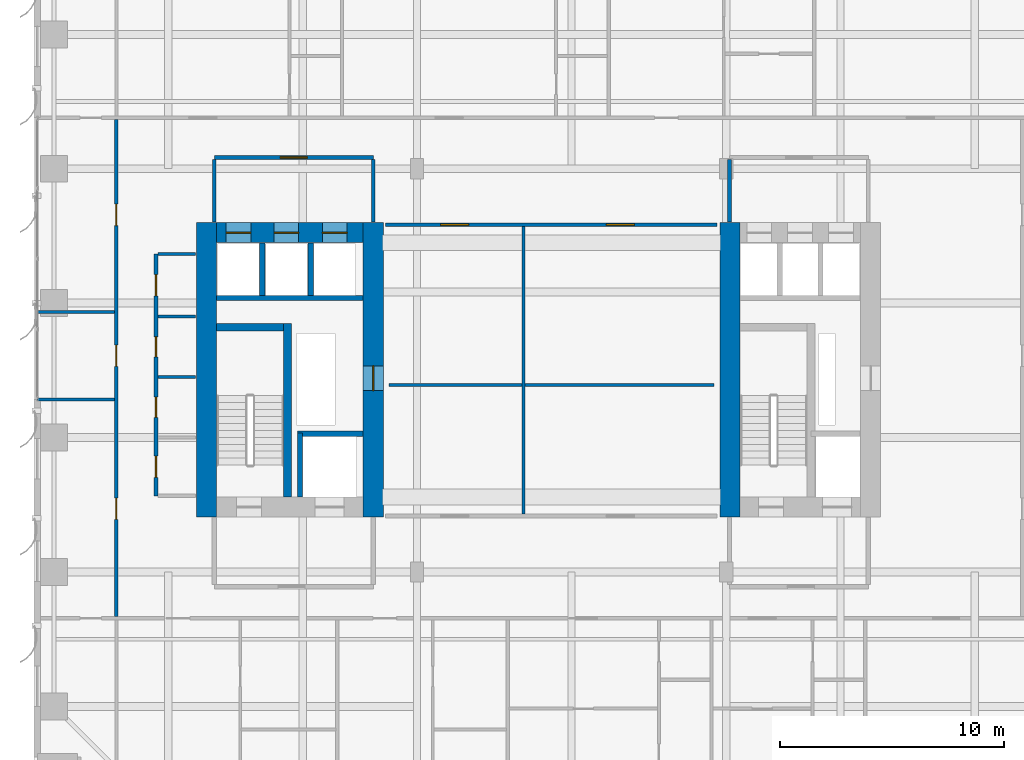
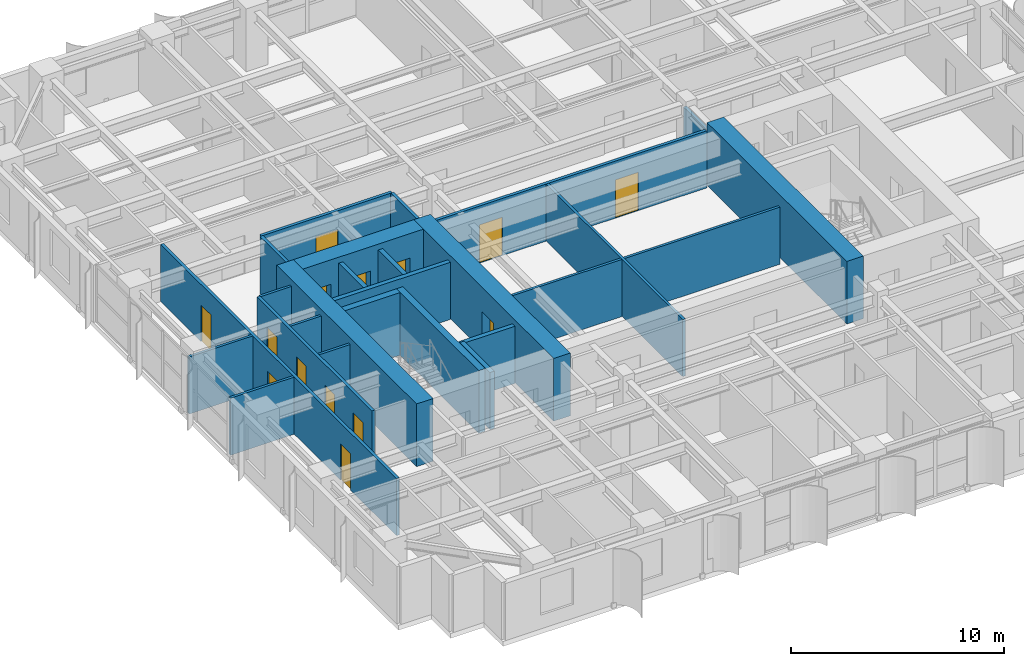
# One storey, part 16 of 23: 25 walls, 14 doors, 14 openings.
"""IFC4 building model written with IfcOpenShell, lengths in metres."""

from ifc_helpers import new_model, si_unit, direction, frame, frame_2d, origin, place, context, subcontext, project, spatial, rectangle, extrude, source, transform, mapped, material, layer, layer_set, type_object, element, fill, save


model = new_model("IFC4")

# Units and contexts
model_context = context("Model", 3, precision=1e-05, world=origin(), true_north=direction((0.0, 1.0)))
body_context = subcontext(model_context, "Body", "Model", "MODEL_VIEW")
ifc_project = project(units=[si_unit("LENGTHUNIT", "METRE"), si_unit("AREAUNIT", "SQUARE_METRE"), si_unit("VOLUMEUNIT", "CUBIC_METRE"), si_unit("PLANEANGLEUNIT", "RADIAN"), si_unit("MASSUNIT", "GRAM", prefix="KILO")], contexts=[model_context])

# Site, building, storey
site_placement = place(None, origin())
site = spatial("IfcSite", under=ifc_project, at=site_placement, CompositionType="ELEMENT")
building_placement = place(site_placement, origin())
building = spatial("IfcBuilding", under=site, at=building_placement, Name="Khoralis Quay Care Tower", CompositionType="ELEMENT")
storey_placement = place(building_placement, frame((0.0, 0.0, 72.89990234375)))
storey = spatial("IfcBuildingStorey", under=building, at=storey_placement, Name="L19", CompositionType="ELEMENT", Elevation=72.89990234375)

# Wall
ifc_material_1 = material(Name="Concrete C80/95", Category="concrete")
ifc_layer_1 = layer(ifc_material_1, 0.89990234375)
ifc_layer_set_1 = layer_set([ifc_layer_1], Name="Concrete C80/95")
wall_type_1 = type_object("IfcWallType", Name="WL-CORE-900", PredefinedType="SHEAR", material=ifc_layer_set_1)
wall_1_placement = place(storey_placement, frame((7.699951171875, 14.449951171875, 0.0), z_axis=(0.0, 0.0, 1.0), x_axis=(0.0, 1.0, 0.0)))
element("IfcWall", 1, at=wall_1_placement, inside=storey, type_object=wall_type_1, Name="L19 WCORE West Shear Wall", PredefinedType="SHEAR", context=body_context, shape_type="SweptSolid", body=[
    extrude(rectangle(XDim=13.150146484375, YDim=0.89990234375, at=frame_2d((6.5751953125, 0.0))), origin(), (0.0, 0.0, 1.0), 3.60009765625),
])

# Wall, opening, door
wall_2_placement = place(storey_placement, frame((15.14990234375, 14.449951171875, 0.0), z_axis=(0.0, 0.0, 1.0), x_axis=(0.0, 1.0, 0.0)))
wall_2 = element("IfcWall", 2, at=wall_2_placement, inside=storey, type_object=wall_type_1, Name="L19 WCORE East Shear Wall", PredefinedType="SHEAR", context=body_context, shape_type="SweptSolid", body=[
    extrude(rectangle(XDim=13.150146484375, YDim=0.89990234375, at=frame_2d((6.5751953125, 0.0))), origin(), (0.0, 0.0, 1.0), 3.60009765625),
])
opening_1_placement = place(wall_2_placement, frame((5.64990234375, 0.0, 0.0)))
opening_1 = element("IfcOpeningElement", 3, at=opening_1_placement, cuts=wall_2, Name="Opening SD1", PredefinedType="OPENING", context=body_context, shape_type="SweptSolid", body=[
    extrude(rectangle(XDim=1.10009765625, YDim=2.199951171875, at=frame_2d((0.550048828125, 1.10009765625))), frame((0.0, 0.4599609375, 0.0), z_axis=(0.0, -1.0, 0.0), x_axis=(1.0, 0.0, 0.0)), (0.0, 0.0, 1.0), 0.919921875),
])
ifc_material_2 = material(Name="Fire-rated painted steel", Category="steel")
door_type_1 = type_object("IfcDoorType", Name="DR-STAIR-1100X2200", OperationType="NOTDEFINED", PredefinedType="DOOR", material=ifc_material_2)
shared_shape_1 = source(origin(), body_context, "Body", "SweptSolid", [
    extrude(rectangle(XDim=1.10009765625, YDim=2.199951171875, at=frame_2d((0.550048828125, 1.10009765625))), frame((0.0, 0.02490234375, 0.0), z_axis=(0.0, -1.0, 0.0), x_axis=(1.0, 0.0, 0.0)), (0.0, 0.0, 1.0), 0.050048828125),
])
door_1_placement = place(opening_1_placement, origin())
door_1 = element("IfcDoor", 4, at=door_1_placement, inside=storey, type_object=door_type_1, Name="L19 West MEP Riser Door", OperationType="SINGLE_SWING_LEFT", OverallHeight=2.199951171875, OverallWidth=1.10009765625, PredefinedType="DOOR", context=body_context, shape_type="MappedRepresentation", body=[
    mapped(shared_shape_1, transform((0.0, 0.0, 0.0), scale=1.0)),
])
fill(opening_1, door_1)

# Wall, openings, doors
wall_3_placement = place(storey_placement, frame((8.14990234375, 27.14990234375, 0.0), z_axis=(0.0, 0.0, 1.0), x_axis=(1.0, 0.0, 0.0)))
wall_3 = element("IfcWall", 5, at=wall_3_placement, inside=storey, type_object=wall_type_1, Name="L19 WCORE North Shear Wall", PredefinedType="SHEAR", context=body_context, shape_type="SweptSolid", body=[
    extrude(rectangle(XDim=6.550048828125, YDim=0.89990234375, at=frame_2d((3.27490234375, 0.0))), origin(), (0.0, 0.0, 1.0), 3.60009765625),
])
opening_2_placement = place(wall_3_placement, frame((0.429931640625, 0.0, 0.0)))
opening_2 = element("IfcOpeningElement", 6, at=opening_2_placement, cuts=wall_3, Name="Opening LD1", PredefinedType="OPENING", context=body_context, shape_type="SweptSolid", body=[
    extrude(rectangle(XDim=1.10009765625, YDim=2.199951171875, at=frame_2d((0.550048828125, 1.10009765625))), frame((0.0, 0.4599609375, 0.0), z_axis=(0.0, -1.0, 0.0), x_axis=(1.0, 0.0, 0.0)), (0.0, 0.0, 1.0), 0.919921875),
])
opening_3_placement = place(wall_3_placement, frame((2.570068359375, 0.0, 0.0)))
opening_3 = element("IfcOpeningElement", 7, at=opening_3_placement, cuts=wall_3, Name="Opening LD1", PredefinedType="OPENING", context=body_context, shape_type="SweptSolid", body=[
    extrude(rectangle(XDim=1.10009765625, YDim=2.199951171875, at=frame_2d((0.550048828125, 1.10009765625))), frame((0.0, 0.4599609375, 0.0), z_axis=(0.0, -1.0, 0.0), x_axis=(1.0, 0.0, 0.0)), (0.0, 0.0, 1.0), 0.919921875),
])
opening_4_placement = place(wall_3_placement, frame((4.72998046875, 0.0, 0.0)))
opening_4 = element("IfcOpeningElement", 8, at=opening_4_placement, cuts=wall_3, Name="Opening LD1", PredefinedType="OPENING", context=body_context, shape_type="SweptSolid", body=[
    extrude(rectangle(XDim=1.10009765625, YDim=2.199951171875, at=frame_2d((0.550048828125, 1.10009765625))), frame((0.0, 0.4599609375, 0.0), z_axis=(0.0, -1.0, 0.0), x_axis=(1.0, 0.0, 0.0)), (0.0, 0.0, 1.0), 0.919921875),
])
ifc_material_3 = material(Name="Brushed stainless steel", Category="steel")
door_type_2 = type_object("IfcDoorType", Name="DR-LIFT-1100X2200", OperationType="SLIDING_TO_LEFT", PredefinedType="DOOR", material=ifc_material_3)
shared_shape_2 = source(origin(), body_context, "Body", "SweptSolid", [
    extrude(rectangle(XDim=1.10009765625, YDim=2.199951171875, at=frame_2d((0.550048828125, 1.10009765625))), frame((0.0, 0.02490234375, 0.0), z_axis=(0.0, -1.0, 0.0), x_axis=(1.0, 0.0, 0.0)), (0.0, 0.0, 1.0), 0.050048828125),
])
door_2_placement = place(opening_2_placement, origin())
door_2 = element("IfcDoor", 9, at=door_2_placement, inside=storey, type_object=door_type_2, Name="L19 Lift PLL1 Landing Door", OperationType="SLIDING_TO_LEFT", OverallHeight=2.199951171875, OverallWidth=1.10009765625, PredefinedType="DOOR", context=body_context, shape_type="MappedRepresentation", body=[
    mapped(shared_shape_2, transform((0.0, 0.0, 0.0), scale=1.0)),
])
fill(opening_2, door_2)
door_3_placement = place(opening_3_placement, origin())
door_3 = element("IfcDoor", 10, at=door_3_placement, inside=storey, type_object=door_type_2, Name="L19 Lift PLM1 Landing Door", OperationType="SLIDING_TO_LEFT", OverallHeight=2.199951171875, OverallWidth=1.10009765625, PredefinedType="DOOR", context=body_context, shape_type="MappedRepresentation", body=[
    mapped(shared_shape_2, transform((0.0, 0.0, 0.0), scale=1.0)),
])
fill(opening_3, door_3)
door_4_placement = place(opening_4_placement, origin())
door_4 = element("IfcDoor", 11, at=door_4_placement, inside=storey, type_object=door_type_2, Name="L19 Lift PLH1 Landing Door", OperationType="SLIDING_TO_LEFT", OverallHeight=2.199951171875, OverallWidth=1.10009765625, PredefinedType="DOOR", context=body_context, shape_type="MappedRepresentation", body=[
    mapped(shared_shape_2, transform((0.0, 0.0, 0.0), scale=1.0)),
])
fill(opening_4, door_4)

# Wall
wall_4_placement = place(storey_placement, frame((31.070068359375, 14.449951171875, 0.0), z_axis=(0.0, 0.0, 1.0), x_axis=(0.0, 1.0, 0.0)))
element("IfcWall", 12, at=wall_4_placement, inside=storey, type_object=wall_type_1, Name="L19 ECORE West Shear Wall", PredefinedType="SHEAR", context=body_context, shape_type="SweptSolid", body=[
    extrude(rectangle(XDim=13.150146484375, YDim=0.89990234375, at=frame_2d((6.5751953125, 0.0))), origin(), (0.0, 0.0, 1.0), 3.60009765625),
])

# Wall, opening, door
ifc_material_4 = material(Name="Gypsum plasterboard on acoustic metal stud")
ifc_layer_2 = layer(ifc_material_4, 0.1650390625)
ifc_layer_set_2 = layer_set([ifc_layer_2], Name="Gypsum plasterboard on acoustic metal stud")
wall_type_2 = type_object("IfcWallType", Name="WL-CORR-165", PredefinedType="PARTITIONING", material=ifc_layer_set_2)
wall_5_placement = place(storey_placement, frame((8.050048828125, 30.5, 0.0), z_axis=(0.0, 0.0, 1.0), x_axis=(1.0, 0.0, 0.0)))
wall_5 = element("IfcWall", 13, at=wall_5_placement, inside=storey, type_object=wall_type_2, Name="L19 West Lift Lobby North Wall", PredefinedType="PARTITIONING", context=body_context, shape_type="SweptSolid", body=[
    extrude(rectangle(XDim=7.099853515625, YDim=0.1650390625, at=frame_2d((3.5498046875, 0.0))), origin(), (0.0, 0.0, 1.0), 3.280029296875),
])
opening_5_placement = place(wall_5_placement, frame((2.949951171875, 0.0, 0.0)))
opening_5 = element("IfcOpeningElement", 14, at=opening_5_placement, cuts=wall_5, Name="Opening FD1", PredefinedType="OPENING", context=body_context, shape_type="SweptSolid", body=[
    extrude(rectangle(XDim=1.199951171875, YDim=2.199951171875, at=frame_2d((0.60009765625, 1.10009765625))), frame((0.0, 0.092529296875, 0.0), z_axis=(0.0, -1.0, 0.0), x_axis=(1.0, 0.0, 0.0)), (0.0, 0.0, 1.0), 0.18505859375),
])
door_type_3 = type_object("IfcDoorType", Name="DR-FFL-1200X2200", OperationType="NOTDEFINED", PredefinedType="DOOR", material=ifc_material_2)
shared_shape_3 = source(origin(), body_context, "Body", "SweptSolid", [
    extrude(rectangle(XDim=1.199951171875, YDim=2.199951171875, at=frame_2d((0.60009765625, 1.10009765625))), frame((0.0, 0.02490234375, 0.0), z_axis=(0.0, -1.0, 0.0), x_axis=(1.0, 0.0, 0.0)), (0.0, 0.0, 1.0), 0.050048828125),
])
door_5_placement = place(opening_5_placement, origin())
door_5 = element("IfcDoor", 15, at=door_5_placement, inside=storey, type_object=door_type_3, Name="L19 West Lift Lobby Double Door", OperationType="DOUBLE_DOOR_SINGLE_SWING", OverallHeight=2.199951171875, OverallWidth=1.199951171875, PredefinedType="DOOR", context=body_context, shape_type="MappedRepresentation", body=[
    mapped(shared_shape_3, transform((0.0, 0.0, 0.0), scale=1.0)),
])
fill(opening_5, door_5)

# Walls
for number, where, z_axis, x_axis, name in (
    (16, (8.050048828125, 27.6201171875, 0.0), (0.0, 0.0, 1.0), (0.0, 1.0, 0.0), "L19 West Lift Lobby West Wall"),
    (17, (15.14990234375, 27.6201171875, 0.0), (0.0, 0.0, 1.0), (0.0, 1.0, 0.0), "L19 West Lift Lobby East Wall"),
):
    element("IfcWall", number, at=place(storey_placement, frame(where, z_axis=z_axis, x_axis=x_axis)), inside=storey, type_object=wall_type_2, Name=name, PredefinedType="PARTITIONING", context=body_context, shape_type="SweptSolid", body=[
        extrude(rectangle(XDim=2.802490234375, YDim=0.1650390625, at=frame_2d((1.4013671875, 0.0))), origin(), (0.0, 0.0, 1.0), 3.280029296875),
    ])
wall_6_placement = place(storey_placement, frame((31.050048828125, 27.6201171875, 0.0), z_axis=(0.0, 0.0, 1.0), x_axis=(0.0, 1.0, 0.0)))
element("IfcWall", 18, at=wall_6_placement, inside=storey, type_object=wall_type_2, Name="L19 East Lift Lobby West Wall", PredefinedType="PARTITIONING", context=body_context, shape_type="SweptSolid", body=[
    extrude(rectangle(XDim=2.802490234375, YDim=0.1650390625, at=frame_2d((1.4013671875, 0.0))), origin(), (0.0, 0.0, 1.0), 2.6640625),
])

# Wall, openings, doors
wall_7_placement = place(storey_placement, frame((5.449951171875, 15.39990234375, 0.0), z_axis=(0.0, 0.0, 1.0), x_axis=(0.0, 1.0, 0.0)))
wall_7 = element("IfcWall", 19, at=wall_7_placement, inside=storey, type_object=wall_type_2, Name="L19 West Core Service Flank Wall", PredefinedType="PARTITIONING", context=body_context, shape_type="SweptSolid", body=[
    extrude(rectangle(XDim=10.800048828125, YDim=0.1650390625, at=frame_2d((5.39990234375, 0.0))), origin(), (0.0, 0.0, 1.0), 3.280029296875),
])
opening_6_placement = place(wall_7_placement, frame((0.824951171875, 0.0, 0.0)))
opening_6 = element("IfcOpeningElement", 20, at=opening_6_placement, cuts=wall_7, Name="Opening ID1", PredefinedType="OPENING", context=body_context, shape_type="SweptSolid", body=[
    extrude(rectangle(XDim=0.949951171875, YDim=2.10009765625, at=frame_2d((0.47509765625, 1.050048828125))), frame((0.0, 0.092529296875, 0.0), z_axis=(0.0, -1.0, 0.0), x_axis=(1.0, 0.0, 0.0)), (0.0, 0.0, 1.0), 0.18505859375),
])
opening_7_placement = place(wall_7_placement, frame((3.5, 0.0, 0.0)))
opening_7 = element("IfcOpeningElement", 21, at=opening_7_placement, cuts=wall_7, Name="Opening WD1", PredefinedType="OPENING", context=body_context, shape_type="SweptSolid", body=[
    extrude(rectangle(XDim=0.89990234375, YDim=2.10009765625, at=frame_2d((0.449951171875, 1.050048828125))), frame((0.0, 0.092529296875, 0.0), z_axis=(0.0, -1.0, 0.0), x_axis=(1.0, 0.0, 0.0)), (0.0, 0.0, 1.0), 0.18505859375),
])
opening_8_placement = place(wall_7_placement, frame((6.199951171875, 0.0, 0.0)))
opening_8 = element("IfcOpeningElement", 22, at=opening_8_placement, cuts=wall_7, Name="Opening WD1", PredefinedType="OPENING", context=body_context, shape_type="SweptSolid", body=[
    extrude(rectangle(XDim=0.89990234375, YDim=2.10009765625, at=frame_2d((0.449951171875, 1.050048828125))), frame((0.0, 0.092529296875, 0.0), z_axis=(0.0, -1.0, 0.0), x_axis=(1.0, 0.0, 0.0)), (0.0, 0.0, 1.0), 0.18505859375),
])
opening_9_placement = place(wall_7_placement, frame((8.925048828125, 0.0, 0.0)))
opening_9 = element("IfcOpeningElement", 23, at=opening_9_placement, cuts=wall_7, Name="Opening ID1", PredefinedType="OPENING", context=body_context, shape_type="SweptSolid", body=[
    extrude(rectangle(XDim=0.949951171875, YDim=2.10009765625, at=frame_2d((0.47509765625, 1.050048828125))), frame((0.0, 0.092529296875, 0.0), z_axis=(0.0, -1.0, 0.0), x_axis=(1.0, 0.0, 0.0)), (0.0, 0.0, 1.0), 0.18505859375),
])
ifc_material_5 = material(Name="Acoustic hardwood timber", Category="wood")
door_type_4 = type_object("IfcDoorType", Name="DR-BATH-900X2100", OperationType="NOTDEFINED", PredefinedType="DOOR", material=ifc_material_5)
shared_shape_4 = source(origin(), body_context, "Body", "SweptSolid", [
    extrude(rectangle(XDim=0.89990234375, YDim=2.10009765625, at=frame_2d((0.449951171875, 1.050048828125))), frame((0.0, 0.02490234375, 0.0), z_axis=(0.0, -1.0, 0.0), x_axis=(1.0, 0.0, 0.0)), (0.0, 0.0, 1.0), 0.050048828125),
])
door_6_placement = place(opening_7_placement, frame((0.89990234375, 0.0, 0.0), z_axis=(0.0, 0.0, 1.0), x_axis=(-1.0, 0.0, 0.0)))
door_6 = element("IfcDoor", 24, at=door_6_placement, inside=storey, type_object=door_type_4, Name="L19 Public Accessible WC Door", OperationType="SINGLE_SWING_LEFT", OverallHeight=2.10009765625, OverallWidth=0.89990234375, PredefinedType="DOOR", context=body_context, shape_type="MappedRepresentation", body=[
    mapped(shared_shape_4, transform((0.0, 0.0, 0.0), scale=1.0)),
])
fill(opening_7, door_6)
door_7_placement = place(opening_8_placement, frame((0.89990234375, 0.0, 0.0), z_axis=(0.0, 0.0, 1.0), x_axis=(-1.0, 0.0, 0.0)))
door_7 = element("IfcDoor", 25, at=door_7_placement, inside=storey, type_object=door_type_4, Name="L19 Staff Accessible WC Door", OperationType="SINGLE_SWING_RIGHT", OverallHeight=2.10009765625, OverallWidth=0.89990234375, PredefinedType="DOOR", context=body_context, shape_type="MappedRepresentation", body=[
    mapped(shared_shape_4, transform((0.0, 0.0, 0.0), scale=1.0)),
])
fill(opening_8, door_7)
door_type_5 = type_object("IfcDoorType", Name="DR-ROOM-950X2100", OperationType="NOTDEFINED", PredefinedType="DOOR", material=ifc_material_5)
shared_shape_5 = source(origin(), body_context, "Body", "SweptSolid", [
    extrude(rectangle(XDim=0.949951171875, YDim=2.10009765625, at=frame_2d((0.47509765625, 1.050048828125))), frame((0.0, 0.02490234375, 0.0), z_axis=(0.0, -1.0, 0.0), x_axis=(1.0, 0.0, 0.0)), (0.0, 0.0, 1.0), 0.050048828125),
])
door_8_placement = place(opening_6_placement, frame((0.949951171875, 0.0, 0.0), z_axis=(0.0, 0.0, 1.0), x_axis=(-1.0, 0.0, 0.0)))
door_8 = element("IfcDoor", 26, at=door_8_placement, inside=storey, type_object=door_type_5, Name="L19 Housekeeping Store Door", OperationType="SINGLE_SWING_RIGHT", OverallHeight=2.10009765625, OverallWidth=0.949951171875, PredefinedType="DOOR", context=body_context, shape_type="MappedRepresentation", body=[
    mapped(shared_shape_5, transform((0.0, 0.0, 0.0), scale=1.0)),
])
fill(opening_6, door_8)
door_9_placement = place(opening_9_placement, frame((0.949951171875, 0.0, 0.0), z_axis=(0.0, 0.0, 1.0), x_axis=(-1.0, 0.0, 0.0)))
door_9 = element("IfcDoor", 27, at=door_9_placement, inside=storey, type_object=door_type_5, Name="L19 Telecom IDF Room Door", OperationType="SINGLE_SWING_LEFT", OverallHeight=2.10009765625, OverallWidth=0.949951171875, PredefinedType="DOOR", context=body_context, shape_type="MappedRepresentation", body=[
    mapped(shared_shape_5, transform((0.0, 0.0, 0.0), scale=1.0)),
])
fill(opening_9, door_9)

wall_8_placement = place(storey_placement, frame((3.679931640625, 10.017578125, 0.0), z_axis=(0.0, 0.0, 1.0), x_axis=(0.0, 1.0, 0.0)))
wall_8 = element("IfcWall", 28, at=wall_8_placement, inside=storey, type_object=wall_type_2, Name="L19 West Loop Corridor Wall", PredefinedType="PARTITIONING", context=body_context, shape_type="SweptSolid", body=[
    extrude(rectangle(XDim=22.184814453125, YDim=0.1650390625, at=frame_2d((11.09228515625, 0.0))), origin(), (0.0, 0.0, 1.0), 3.280029296875),
])
opening_10_placement = place(wall_8_placement, frame((4.327392578125, 0.0, 0.0)))
opening_10 = element("IfcOpeningElement", 29, at=opening_10_placement, cuts=wall_8, Name="Opening ID1", PredefinedType="OPENING", context=body_context, shape_type="SweptSolid", body=[
    extrude(rectangle(XDim=0.949951171875, YDim=2.10009765625, at=frame_2d((0.47509765625, 1.050048828125))), frame((0.0, 0.092529296875, 0.0), z_axis=(0.0, -1.0, 0.0), x_axis=(1.0, 0.0, 0.0)), (0.0, 0.0, 1.0), 0.18505859375),
])
opening_11_placement = place(wall_8_placement, frame((11.157470703125, 0.0, 0.0)))
opening_11 = element("IfcOpeningElement", 30, at=opening_11_placement, cuts=wall_8, Name="Opening ID1", PredefinedType="OPENING", context=body_context, shape_type="SweptSolid", body=[
    extrude(rectangle(XDim=0.949951171875, YDim=2.10009765625, at=frame_2d((0.47509765625, 1.050048828125))), frame((0.0, 0.092529296875, 0.0), z_axis=(0.0, -1.0, 0.0), x_axis=(1.0, 0.0, 0.0)), (0.0, 0.0, 1.0), 0.18505859375),
])
opening_12_placement = place(wall_8_placement, frame((17.447509765625, 0.0, 0.0)))
opening_12 = element("IfcOpeningElement", 31, at=opening_12_placement, cuts=wall_8, Name="Opening ID1", PredefinedType="OPENING", context=body_context, shape_type="SweptSolid", body=[
    extrude(rectangle(XDim=0.949951171875, YDim=2.10009765625, at=frame_2d((0.47509765625, 1.050048828125))), frame((0.0, 0.092529296875, 0.0), z_axis=(0.0, -1.0, 0.0), x_axis=(1.0, 0.0, 0.0)), (0.0, 0.0, 1.0), 0.18505859375),
])
door_10_placement = place(opening_10_placement, origin())
door_10 = element("IfcDoor", 32, at=door_10_placement, inside=storey, type_object=door_type_5, Name="L19 Therapy Consultation Room Door", OperationType="SINGLE_SWING_LEFT", OverallHeight=2.10009765625, OverallWidth=0.949951171875, PredefinedType="DOOR", context=body_context, shape_type="MappedRepresentation", body=[
    mapped(shared_shape_5, transform((0.0, 0.0, 0.0), scale=1.0)),
])
fill(opening_10, door_10)
door_11_placement = place(opening_11_placement, origin())
door_11 = element("IfcDoor", 33, at=door_11_placement, inside=storey, type_object=door_type_5, Name="L19 Assisted Activity Lounge Door", OperationType="SINGLE_SWING_RIGHT", OverallHeight=2.10009765625, OverallWidth=0.949951171875, PredefinedType="DOOR", context=body_context, shape_type="MappedRepresentation", body=[
    mapped(shared_shape_5, transform((0.0, 0.0, 0.0), scale=1.0)),
])
fill(opening_11, door_11)
door_12_placement = place(opening_12_placement, origin())
door_12 = element("IfcDoor", 34, at=door_12_placement, inside=storey, type_object=door_type_5, Name="L19 Nurse Charting Office Door", OperationType="SINGLE_SWING_LEFT", OverallHeight=2.10009765625, OverallWidth=0.949951171875, PredefinedType="DOOR", context=body_context, shape_type="MappedRepresentation", body=[
    mapped(shared_shape_5, transform((0.0, 0.0, 0.0), scale=1.0)),
])
fill(opening_12, door_12)

wall_9_placement = place(storey_placement, frame((15.699951171875, 27.5, 0.0), z_axis=(0.0, 0.0, 1.0), x_axis=(1.0, 0.0, 0.0)))
wall_9 = element("IfcWall", 35, at=wall_9_placement, inside=storey, type_object=wall_type_2, Name="L19 Central Clinical North Wall", PredefinedType="PARTITIONING", context=body_context, shape_type="SweptSolid", body=[
    extrude(rectangle(XDim=14.800048828125, YDim=0.1650390625, at=frame_2d((7.39990234375, 0.0))), origin(), (0.0, 0.0, 1.0), 3.280029296875),
])
opening_13_placement = place(wall_9_placement, frame((2.449951171875, 0.0, 0.0)))
opening_13 = element("IfcOpeningElement", 36, at=opening_13_placement, cuts=wall_9, Name="Opening CD1", PredefinedType="OPENING", context=body_context, shape_type="SweptSolid", body=[
    extrude(rectangle(XDim=1.25, YDim=2.199951171875, at=frame_2d((0.625, 1.10009765625))), frame((0.0, 0.092529296875, 0.0), z_axis=(0.0, -1.0, 0.0), x_axis=(1.0, 0.0, 0.0)), (0.0, 0.0, 1.0), 0.18505859375),
])
opening_14_placement = place(wall_9_placement, frame((9.85009765625, 0.0, 0.0)))
opening_14 = element("IfcOpeningElement", 37, at=opening_14_placement, cuts=wall_9, Name="Opening CD1", PredefinedType="OPENING", context=body_context, shape_type="SweptSolid", body=[
    extrude(rectangle(XDim=1.25, YDim=2.199951171875, at=frame_2d((0.625, 1.10009765625))), frame((0.0, 0.092529296875, 0.0), z_axis=(0.0, -1.0, 0.0), x_axis=(1.0, 0.0, 0.0)), (0.0, 0.0, 1.0), 0.18505859375),
])
door_type_6 = type_object("IfcDoorType", Name="DR-CARE-1250X2200", OperationType="NOTDEFINED", PredefinedType="DOOR", material=ifc_material_5)
shared_shape_6 = source(origin(), body_context, "Body", "SweptSolid", [
    extrude(rectangle(XDim=1.25, YDim=2.199951171875, at=frame_2d((0.625, 1.10009765625))), frame((0.0, 0.02490234375, 0.0), z_axis=(0.0, -1.0, 0.0), x_axis=(1.0, 0.0, 0.0)), (0.0, 0.0, 1.0), 0.050048828125),
])
door_13_placement = place(opening_13_placement, frame((1.25, 0.0, 0.0), z_axis=(0.0, 0.0, 1.0), x_axis=(-1.0, 0.0, 0.0)))
door_13 = element("IfcDoor", 38, at=door_13_placement, inside=storey, type_object=door_type_6, Name="L19 Library Lounge Door", OperationType="SINGLE_SWING_LEFT", OverallHeight=2.199951171875, OverallWidth=1.25, PredefinedType="DOOR", context=body_context, shape_type="MappedRepresentation", body=[
    mapped(shared_shape_6, transform((0.0, 0.0, 0.0), scale=1.0)),
])
fill(opening_13, door_13)
door_14_placement = place(opening_14_placement, frame((1.25, 0.0, 0.0), z_axis=(0.0, 0.0, 1.0), x_axis=(-1.0, 0.0, 0.0)))
door_14 = element("IfcDoor", 39, at=door_14_placement, inside=storey, type_object=door_type_6, Name="L19 Occupational Therapy Door", OperationType="SINGLE_SWING_RIGHT", OverallHeight=2.199951171875, OverallWidth=1.25, PredefinedType="DOOR", context=body_context, shape_type="MappedRepresentation", body=[
    mapped(shared_shape_6, transform((0.0, 0.0, 0.0), scale=1.0)),
])
fill(opening_14, door_14)

# Walls
ifc_material_6 = material(Name="Moisture-resistant gypsum and ceramic tile")
ifc_layer_3 = layer(ifc_material_6, 0.280029296875)
ifc_layer_set_3 = layer_set([ifc_layer_3], Name="Moisture-resistant gypsum and ceramic tile")
wall_type_3 = type_object("IfcWallType", Name="WL-PLUMB-280", PredefinedType="PLUMBINGWALL", material=ifc_layer_set_3)
wall_10_placement = place(storey_placement, frame((5.527587890625, 20.699951171875, 0.0), z_axis=(0.0, 0.0, 1.0), x_axis=(1.0, 0.0, 0.0)))
element("IfcWall", 40, at=wall_10_placement, inside=storey, type_object=wall_type_3, Name="L19 West Flank Divider 2", PredefinedType="PLUMBINGWALL", context=body_context, shape_type="SweptSolid", body=[
    extrude(rectangle(XDim=1.682373046875, YDim=0.139892578125, at=frame_2d((0.84130859375, 0.0))), origin(), (0.0, 0.0, 1.0), 3.280029296875),
])
ifc_material_7 = material(Name="Concrete C40/50", Category="concrete")
ifc_layer_4 = layer(ifc_material_7, 0.35009765625)
ifc_layer_set_4 = layer_set([ifc_layer_4], Name="Concrete C40/50")
wall_type_4 = type_object("IfcWallType", Name="WL-SC-CORE-350", PredefinedType="SHEAR", material=ifc_layer_set_4)
wall_11_placement = place(storey_placement, frame((11.324951171875, 15.35009765625, 0.0), z_axis=(0.0, 0.0, 1.0), x_axis=(0.0, 1.0, 0.0)))
element("IfcWall", 41, at=wall_11_placement, inside=storey, type_object=wall_type_4, Name="L19 Stair ST-T1 Shear Baffle Wall East", PredefinedType="SHEAR", context=body_context, shape_type="SweptSolid", body=[
    extrude(rectangle(XDim=7.75, YDim=0.35009765625, at=frame_2d((3.875, 0.0))), origin(), (0.0, 0.0, 1.0), 3.60009765625),
])
wall_12_placement = place(storey_placement, frame((8.14990234375, 22.925048828125, 0.0), z_axis=(0.0, 0.0, 1.0), x_axis=(1.0, 0.0, 0.0)))
element("IfcWall", 42, at=wall_12_placement, inside=storey, type_object=wall_type_4, Name="L19 Stair ST-T1 Shear Baffle Wall North", PredefinedType="SHEAR", context=body_context, shape_type="SweptSolid", body=[
    extrude(rectangle(XDim=3.0, YDim=0.35009765625, at=frame_2d((1.5, 0.0))), origin(), (0.0, 0.0, 1.0), 3.60009765625),
])
ifc_layer_5 = layer(ifc_material_4, 0.239990234375)
ifc_layer_set_5 = layer_set([ifc_layer_5], Name="Gypsum plasterboard on acoustic metal stud")
wall_type_5 = type_object("IfcWallType", Name="WL-SHAFT-240", PredefinedType="PARTITIONING", material=ifc_layer_set_5)
wall_13_placement = place(storey_placement, frame((11.8798828125, 15.35009765625, 0.0), z_axis=(0.0, 0.0, 1.0), x_axis=(0.0, 1.0, 0.0)))
element("IfcWall", 43, at=wall_13_placement, inside=storey, type_object=wall_type_5, Name="L19 FFL-1 Shaft Wall West", PredefinedType="PARTITIONING", context=body_context, shape_type="SweptSolid", body=[
    extrude(rectangle(XDim=2.849853515625, YDim=0.239990234375, at=frame_2d((1.4248046875, 0.0))), origin(), (0.0, 0.0, 1.0), 3.280029296875),
])
wall_14_placement = place(storey_placement, frame((11.760009765625, 18.169921875, 0.0), z_axis=(0.0, 0.0, 1.0), x_axis=(1.0, 0.0, 0.0)))
element("IfcWall", 44, at=wall_14_placement, inside=storey, type_object=wall_type_5, Name="L19 FFL-1 Shaft Wall North", PredefinedType="PARTITIONING", context=body_context, shape_type="SweptSolid", body=[
    extrude(rectangle(XDim=2.919921875, YDim=0.239990234375, at=frame_2d((1.4599609375, 0.0))), origin(), (0.0, 0.0, 1.0), 3.280029296875),
])
wall_15_placement = place(storey_placement, frame((8.14990234375, 24.22998046875, 0.0), z_axis=(0.0, 0.0, 1.0), x_axis=(1.0, 0.0, 0.0)))
element("IfcWall", 45, at=wall_15_placement, inside=storey, type_object=wall_type_5, Name="L19 West Passenger Shaft South Wall", PredefinedType="PARTITIONING", context=body_context, shape_type="SweptSolid", body=[
    extrude(rectangle(XDim=6.530029296875, YDim=0.239990234375, at=frame_2d((3.26513671875, 0.0))), origin(), (0.0, 0.0, 1.0), 3.280029296875),
])
for number, where, z_axis, x_axis, name in (
    (46, (10.199951171875, 24.344970703125, 0.0), (0.0, 0.0, 1.0), (0.0, 1.0, 0.0), "L19 West Shaft Divider 1"),
    (47, (12.35009765625, 24.344970703125, 0.0), (0.0, 0.0, 1.0), (0.0, 1.0, 0.0), "L19 West Shaft Divider 2"),
):
    element("IfcWall", number, at=place(storey_placement, frame(where, z_axis=z_axis, x_axis=x_axis)), inside=storey, type_object=wall_type_5, Name=name, PredefinedType="PARTITIONING", context=body_context, shape_type="SweptSolid", body=[
        extrude(rectangle(XDim=2.3349609375, YDim=0.239990234375, at=frame_2d((1.16748046875, 0.0))), origin(), (0.0, 0.0, 1.0), 3.280029296875),
    ])
ifc_layer_6 = layer(ifc_material_4, 0.139892578125)
ifc_layer_set_6 = layer_set([ifc_layer_6], Name="Gypsum plasterboard on acoustic metal stud")
wall_type_6 = type_object("IfcWallType", Name="WL-UNIT-140", PredefinedType="PARTITIONING", material=ifc_layer_set_6)
for number, where, z_axis, x_axis, name in (
    (48, (5.527587890625, 26.199951171875, 0.0), (0.0, 0.0, 1.0), (1.0, 0.0, 0.0), "L19 West Flank North Cap"),
    (49, (5.527587890625, 23.39990234375, 0.0), (0.0, 0.0, 1.0), (1.0, 0.0, 0.0), "L19 West Flank Divider 3"),
):
    element("IfcWall", number, at=place(storey_placement, frame(where, z_axis=z_axis, x_axis=x_axis)), inside=storey, type_object=wall_type_6, Name=name, PredefinedType="PARTITIONING", context=body_context, shape_type="SweptSolid", body=[
        extrude(rectangle(XDim=1.682373046875, YDim=0.139892578125, at=frame_2d((0.84130859375, 0.0))), origin(), (0.0, 0.0, 1.0), 3.280029296875),
    ])
for number, where, z_axis, x_axis, name in (
    (50, (0.14501953125, 19.699951171875, 0.0), (0.0, 0.0, 1.0), (1.0, 0.0, 0.0), "L19 WW Divider 1"),
    (51, (0.14501953125, 23.60009765625, 0.0), (0.0, 0.0, 1.0), (1.0, 0.0, 0.0), "L19 WW Divider 2"),
):
    element("IfcWall", number, at=place(storey_placement, frame(where, z_axis=z_axis, x_axis=x_axis)), inside=storey, type_object=wall_type_6, Name=name, PredefinedType="PARTITIONING", context=body_context, shape_type="SweptSolid", body=[
        extrude(rectangle(XDim=3.45751953125, YDim=0.139892578125, at=frame_2d((1.728759765625, 0.0))), origin(), (0.0, 0.0, 1.0), 3.280029296875),
    ])
wall_16_placement = place(storey_placement, frame((21.85009765625, 14.577392578125, 0.0), z_axis=(0.0, 0.0, 1.0), x_axis=(0.0, 1.0, 0.0)))
element("IfcWall", 52, at=wall_16_placement, inside=storey, type_object=wall_type_6, Name="L19 Central Split V", PredefinedType="PARTITIONING", context=body_context, shape_type="SweptSolid", body=[
    extrude(rectangle(XDim=12.84521484375, YDim=0.139892578125, at=frame_2d((6.422607421875, 0.0))), origin(), (0.0, 0.0, 1.0), 3.280029296875),
])
wall_17_placement = place(storey_placement, frame((15.85009765625, 20.35009765625, 0.0), z_axis=(0.0, 0.0, 1.0), x_axis=(1.0, 0.0, 0.0)))
element("IfcWall", 53, at=wall_17_placement, inside=storey, type_object=wall_type_6, Name="L19 Central Split H", PredefinedType="PARTITIONING", context=body_context, shape_type="SweptSolid", body=[
    extrude(rectangle(XDim=14.5, YDim=0.139892578125, at=frame_2d((7.25, 0.0))), origin(), (0.0, 0.0, 1.0), 3.280029296875),
])

save(model, "model.ifc")
